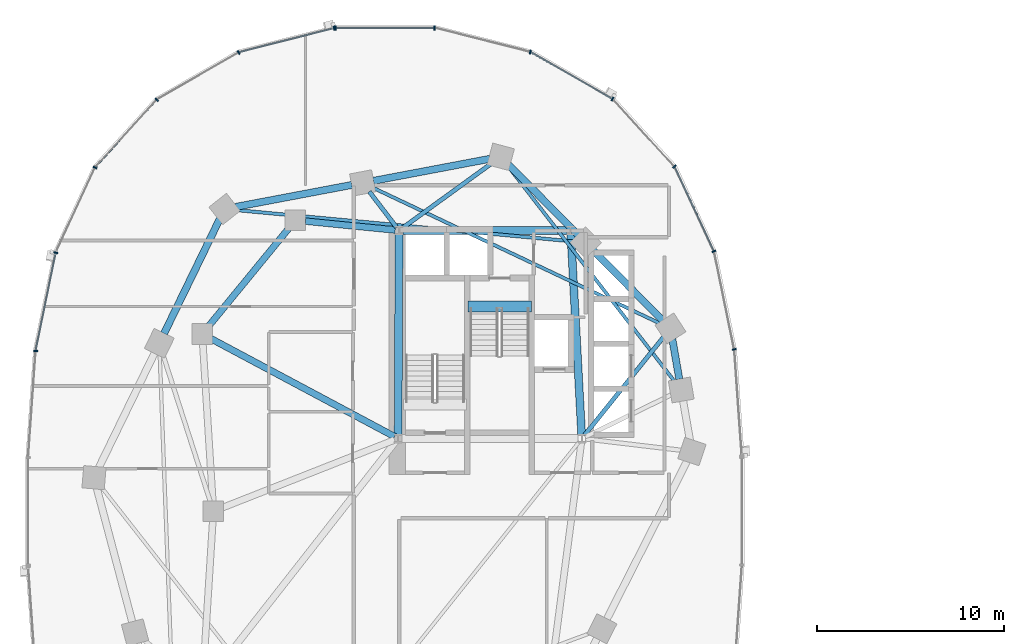
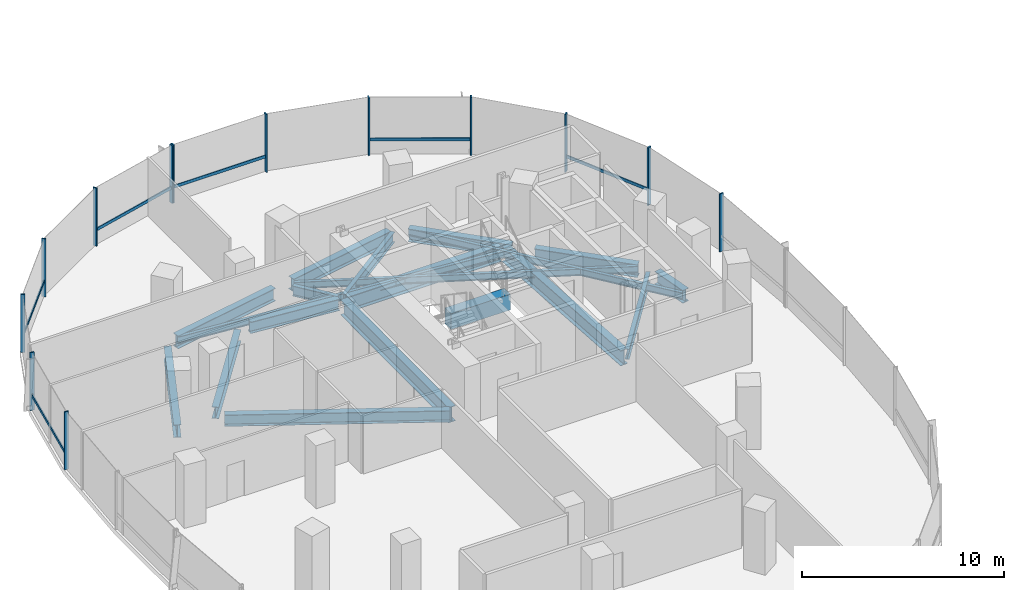
# One storey, part 4 of 21: 19 beams, 19 members, 2 elements without a shape of their own.
"""IFC4 building model written with IfcOpenShell, lengths in metres."""

from ifc_helpers import new_model, si_unit, direction, frame, origin, origin_2d, place, context, subcontext, project, spatial, rectangle, i_section, extrude, material, material_profile, profile_set, type_object, element, aggregate, save


model = new_model("IFC4")

# Units and contexts
model_context = context("Model", 3, precision=1e-05, world=origin(), true_north=direction((0.0, 1.0)))
body_context = subcontext(model_context, "Body", "Model", "MODEL_VIEW")
ifc_project = project(units=[si_unit("LENGTHUNIT", "METRE"), si_unit("AREAUNIT", "SQUARE_METRE"), si_unit("VOLUMEUNIT", "CUBIC_METRE"), si_unit("PLANEANGLEUNIT", "RADIAN"), si_unit("MASSUNIT", "GRAM", prefix="KILO"), si_unit("THERMODYNAMICTEMPERATUREUNIT", "KELVIN"), si_unit("POWERUNIT", "WATT")], contexts=[model_context])

# Site, building, storey
site_placement = place(None, origin())
site = spatial("IfcSite", under=ifc_project, at=site_placement, CompositionType="ELEMENT")
building_placement = place(site_placement, origin())
building = spatial("IfcBuilding", under=site, at=building_placement, Name="Cundina Bronze Exchange", CompositionType="ELEMENT")
storey_placement = place(building_placement, frame((0.0, 0.0, 31.60009765625)))
storey = spatial("IfcBuildingStorey", under=building, at=storey_placement, Name="L07", CompositionType="ELEMENT", Elevation=31.60009765625)

# Beams
ifc_material_1 = material(Name="Concrete C60/75", Category="concrete")
ifc_material_profile_1 = material_profile(ifc_material_1, rectangle(XDim=0.60009765625, YDim=0.949951171875, at=origin_2d()), Name="RC600X950", Category="concrete")
ifc_profile_set_1 = profile_set([ifc_material_profile_1], Name="Concrete C60/75")
beam_type_1 = type_object("IfcBeamType", Name="BM-COUP-RC950", PredefinedType="LINTEL", material=ifc_profile_set_1)
beam_1_placement = place(storey_placement, frame((-27.56005859375, 10.97998046875, -0.47509765625), z_axis=(1.0, 0.0, 0.0), x_axis=(0.0, 1.0, 0.0)))
element("IfcBeam", 1, at=beam_1_placement, inside=storey, type_object=beam_type_1, Name="L07 Stair W2 Landing Header Beam", PredefinedType="LINTEL", context=body_context, shape_type="SweptSolid", body=[
    extrude(rectangle(XDim=0.60009765625, YDim=0.949951171875, at=origin_2d()), origin(), (0.0, 0.0, 1.0), 3.400146484375),
])
ifc_material_2 = material(Name="Steel ASTM A992 Grade 50", Category="steel")
ifc_material_profile_2 = material_profile(ifc_material_2, i_section(OverallWidth=0.22998046875, OverallDepth=0.616943359375, WebThickness=0.01318359375, FlangeThickness=0.022216796875, FilletRadius=0.013916015625, at=origin_2d()), Name="W24X94", Category="steel")
ifc_profile_set_2 = profile_set([ifc_material_profile_2], Name="Steel ASTM A992 Grade 50")
beam_type_2 = type_object("IfcBeamType", Name="BM-FLR-W24B", PredefinedType="BEAM", material=ifc_profile_set_2)
beam_2_placement = place(storey_placement, frame((-21.322021484375, 4.058837890625, -0.608642578125), z_axis=(0.627106366175, 0.778933633568, 0.0), x_axis=(-0.778933633568, 0.627106366175, 0.0)))
element("IfcBeam", 2, at=beam_2_placement, inside=storey, type_object=beam_type_2, Name="L07 Leg W Radial Floor Beam 02", PredefinedType="BEAM", context=body_context, shape_type="SweptSolid", body=[
    extrude(i_section(OverallWidth=0.22998046875, OverallDepth=0.616943359375, WebThickness=0.01318359375, FlangeThickness=0.022216796875, FilletRadius=0.013916015625, at=origin_2d()), origin(), (0.0, 0.0, 1.0), 6.78271484375),
])
beam_3_placement = place(storey_placement, frame((-31.084716796875, 15.169677734375, -0.608642578125), z_axis=(0.809700299677, 0.586843611794, 0.0), x_axis=(-0.586843611794, 0.809700299677, 0.0)))
element("IfcBeam", 3, at=beam_3_placement, inside=storey, type_object=beam_type_2, Name="L07 Leg W Radial Floor Beam 04", PredefinedType="BEAM", context=body_context, shape_type="SweptSolid", body=[
    extrude(i_section(OverallWidth=0.22998046875, OverallDepth=0.616943359375, WebThickness=0.01318359375, FlangeThickness=0.022216796875, FilletRadius=0.013916015625, at=origin_2d()), origin(), (0.0, 0.0, 1.0), 5.938720703125),
])
beam_4_placement = place(storey_placement, frame((-31.373779296875, 15.2119140625, -0.608642578125), z_axis=(-0.607468844289, 0.794343504548, 0.0), x_axis=(-0.794343504548, -0.607468844289, 0.0)))
element("IfcBeam", 4, at=beam_4_placement, inside=storey, type_object=beam_type_2, Name="L07 Leg W Radial Floor Beam 05", PredefinedType="BEAM", context=body_context, shape_type="SweptSolid", body=[
    extrude(i_section(OverallWidth=0.22998046875, OverallDepth=0.616943359375, WebThickness=0.01318359375, FlangeThickness=0.022216796875, FilletRadius=0.013916015625, at=origin_2d()), origin(), (0.0, 0.0, 1.0), 2.418212890625),
])
ifc_material_profile_3 = material_profile(ifc_material_2, i_section(OverallWidth=0.178955078125, OverallDepth=0.409912109375, WebThickness=0.0087890625, FlangeThickness=0.014404296875, FilletRadius=0.010986328125, at=origin_2d()), Name="W16X45", Category="steel")
ifc_profile_set_3 = profile_set([ifc_material_profile_3], Name="Steel ASTM A992 Grade 50")
beam_type_3 = type_object("IfcBeamType", Name="BM-JST-W16", PredefinedType="JOIST", material=ifc_profile_set_3)
beam_5_placement = place(storey_placement, frame((-16.48486328125, 6.965087890625, -0.505126953125), z_axis=(-0.612089386305, 0.790788583108, 0.0), x_axis=(-0.790788583108, -0.612089386305, 0.0)))
element("IfcBeam", 5, at=beam_5_placement, inside=storey, type_object=beam_type_3, Name="L07 Leg W Lobe Floor Joist 01-04", PredefinedType="JOIST", context=body_context, shape_type="SweptSolid", body=[
    extrude(i_section(OverallWidth=0.178955078125, OverallDepth=0.409912109375, WebThickness=0.0087890625, FlangeThickness=0.014404296875, FilletRadius=0.010986328125, at=origin_2d()), origin(), (0.0, 0.0, 1.0), 14.630859375),
])
beam_6_placement = place(storey_placement, frame((-17.231689453125, 10.05126953125, -0.505126953125), z_axis=(-0.904072668297, 0.427378766949, 0.0), x_axis=(-0.427378766949, -0.904072668297, 0.0)))
element("IfcBeam", 6, at=beam_6_placement, inside=storey, type_object=beam_type_3, Name="L07 Leg W Lobe Floor Joist 02-05", PredefinedType="JOIST", context=body_context, shape_type="SweptSolid", body=[
    extrude(i_section(OverallWidth=0.178955078125, OverallDepth=0.409912109375, WebThickness=0.0087890625, FlangeThickness=0.014404296875, FilletRadius=0.010986328125, at=origin_2d()), origin(), (0.0, 0.0, 1.0), 17.07470703125),
])
beam_7_placement = place(storey_placement, frame((-21.83544921875, 14.45458984375, -0.505126953125), z_axis=(-0.995701961644, 0.09261535282, 0.0), x_axis=(-0.09261535282, -0.995701961644, 0.0)))
element("IfcBeam", 7, at=beam_7_placement, inside=storey, type_object=beam_type_3, Name="L07 Leg W Lobe Floor Joist 03-06", PredefinedType="JOIST", context=body_context, shape_type="SweptSolid", body=[
    extrude(i_section(OverallWidth=0.178955078125, OverallDepth=0.409912109375, WebThickness=0.0087890625, FlangeThickness=0.014404296875, FilletRadius=0.010986328125, at=origin_2d()), origin(), (0.0, 0.0, 1.0), 18.25732421875),
])
ifc_material_profile_4 = material_profile(ifc_material_2, i_section(OverallWidth=0.35498046875, OverallDepth=0.695068359375, WebThickness=0.015380859375, FlangeThickness=0.02490234375, FilletRadius=0.01806640625, at=origin_2d()), Name="W27X146", Category="steel")
ifc_profile_set_4 = profile_set([ifc_material_profile_4], Name="Steel ASTM A992 Grade 50")
beam_type_4 = type_object("IfcBeamType", Name="BM-RING-W27", PredefinedType="USERDEFINED", material=ifc_profile_set_4)
beam_8_placement = place(storey_placement, frame((-31.452880859375, 15.070068359375, -0.647705078125), z_axis=(-0.995126271817, 0.098608839051, 0.0), x_axis=(-0.098608839051, -0.995126271817, 0.0)))
element("IfcBeam", 8, at=beam_8_placement, inside=storey, type_object=beam_type_4, Name="L07 W Inner Structural Ring Girder 01", ObjectType="GIRDER", PredefinedType="USERDEFINED", context=body_context, shape_type="SweptSolid", body=[
    extrude(i_section(OverallWidth=0.35498046875, OverallDepth=0.695068359375, WebThickness=0.015380859375, FlangeThickness=0.02490234375, FilletRadius=0.01806640625, at=origin_2d()), origin(), (0.0, 0.0, 1.0), 4.83544921875),
])
beam_9_placement = place(storey_placement, frame((-37.14111328125, 15.183837890625, -0.647705078125), z_axis=(-0.633926549035, -0.773393257295, 0.0), x_axis=(0.773393257295, -0.633926549035, 0.0)))
element("IfcBeam", 9, at=beam_9_placement, inside=storey, type_object=beam_type_4, Name="L07 W Inner Structural Ring Girder 02", ObjectType="GIRDER", PredefinedType="USERDEFINED", context=body_context, shape_type="SweptSolid", body=[
    extrude(i_section(OverallWidth=0.35498046875, OverallDepth=0.695068359375, WebThickness=0.015380859375, FlangeThickness=0.02490234375, FilletRadius=0.01806640625, at=origin_2d()), origin(), (0.0, 0.0, 1.0), 6.811279296875),
])
beam_10_placement = place(storey_placement, frame((-31.47998046875, 3.99609375, -0.647705078125), z_axis=(-0.882354758239, 0.470584828286, 0.0), x_axis=(-0.470584828286, -0.882354758239, 0.0)))
element("IfcBeam", 10, at=beam_10_placement, inside=storey, type_object=beam_type_4, Name="L07 W Core-to-Waist Tie Beam 2", ObjectType="GIRDER", PredefinedType="USERDEFINED", context=body_context, shape_type="SweptSolid", body=[
    extrude(i_section(OverallWidth=0.35498046875, OverallDepth=0.695068359375, WebThickness=0.015380859375, FlangeThickness=0.02490234375, FilletRadius=0.01806640625, at=origin_2d()), origin(), (0.0, 0.0, 1.0), 11.157958984375),
])
ifc_material_profile_5 = material_profile(ifc_material_2, i_section(OverallWidth=0.381103515625, OverallDepth=0.77294921875, WebThickness=0.0166015625, FlangeThickness=0.027099609375, FilletRadius=0.01904296875, at=origin_2d()), Name="W30X173", Category="steel")
ifc_profile_set_5 = profile_set([ifc_material_profile_5], Name="Steel ASTM A992 Grade 50")
beam_type_5 = type_object("IfcBeamType", Name="BM-RING-W30", PredefinedType="USERDEFINED", material=ifc_profile_set_5)
beam_11_placement = place(storey_placement, frame((-16.225830078125, 7.079345703125, -0.6865234375), z_axis=(-0.171734584051, 0.985143254883, 0.0), x_axis=(-0.985143254883, -0.171734584051, 0.0)))
element("IfcBeam", 11, at=beam_11_placement, inside=storey, type_object=beam_type_5, Name="L07 W Perimeter Ring Girder 01", ObjectType="GIRDER", PredefinedType="USERDEFINED", context=body_context, shape_type="SweptSolid", body=[
    extrude(i_section(OverallWidth=0.381103515625, OverallDepth=0.77294921875, WebThickness=0.0166015625, FlangeThickness=0.027099609375, FilletRadius=0.01904296875, at=origin_2d()), origin(), (0.0, 0.0, 1.0), 2.173583984375),
])
for number, where, z_axis, x_axis, name in (
    (12, (-17.113525390625, 10.218017578125, -0.6865234375), (-0.703222428859, 0.710969911845, 0.0), (-0.710969911845, -0.703222428859, 0.0), "L07 W Perimeter Ring Girder 02"),
    (13, (-21.66357421875, 14.818115234375, -0.6865234375), (-0.703222428859, 0.710969911845, 0.0), (-0.710969911845, -0.703222428859, 0.0), "L07 W Perimeter Ring Girder 03"),
):
    element("IfcBeam", number, at=place(storey_placement, frame(where, z_axis=z_axis, x_axis=x_axis)), inside=storey, type_object=beam_type_5, Name=name, ObjectType="GIRDER", PredefinedType="USERDEFINED", context=body_context, shape_type="SweptSolid", body=[
        extrude(i_section(OverallWidth=0.381103515625, OverallDepth=0.77294921875, WebThickness=0.0166015625, FlangeThickness=0.027099609375, FilletRadius=0.01904296875, at=origin_2d()), origin(), (0.0, 0.0, 1.0), 5.2939453125),
    ])
beam_12_placement = place(storey_placement, frame((-26.377685546875, 18.890625, -0.6865234375), z_axis=(-0.982570814598, -0.185888661031, 0.0), x_axis=(0.185888661031, -0.982570814598, 0.0)))
element("IfcBeam", 14, at=beam_12_placement, inside=storey, type_object=beam_type_5, Name="L07 W Perimeter Ring Girder 04", ObjectType="GIRDER", PredefinedType="USERDEFINED", context=body_context, shape_type="SweptSolid", body=[
    extrude(i_section(OverallWidth=0.381103515625, OverallDepth=0.77294921875, WebThickness=0.0166015625, FlangeThickness=0.027099609375, FilletRadius=0.01904296875, at=origin_2d()), origin(), (0.0, 0.0, 1.0), 6.35546875),
])
beam_13_placement = place(storey_placement, frame((-33.77783203125, 17.49072265625, -0.6865234375), z_axis=(-0.982569487119, -0.185895677686, 0.0), x_axis=(0.185895677686, -0.982569487119, 0.0)))
element("IfcBeam", 15, at=beam_13_placement, inside=storey, type_object=beam_type_5, Name="L07 W Perimeter Ring Girder 05", ObjectType="GIRDER", PredefinedType="USERDEFINED", context=body_context, shape_type="SweptSolid", body=[
    extrude(i_section(OverallWidth=0.381103515625, OverallDepth=0.77294921875, WebThickness=0.0166015625, FlangeThickness=0.027099609375, FilletRadius=0.01904296875, at=origin_2d()), origin(), (0.0, 0.0, 1.0), 6.355224609375),
])
beam_14_placement = place(storey_placement, frame((-40.857177734375, 15.671142578125, -0.6865234375), z_axis=(-0.437190698904, -0.899368830231, 0.0), x_axis=(0.899368830231, -0.437190698904, 0.0)))
element("IfcBeam", 16, at=beam_14_placement, inside=storey, type_object=beam_type_5, Name="L07 W Perimeter Ring Girder 06", ObjectType="GIRDER", PredefinedType="USERDEFINED", context=body_context, shape_type="SweptSolid", body=[
    extrude(i_section(OverallWidth=0.381103515625, OverallDepth=0.77294921875, WebThickness=0.0166015625, FlangeThickness=0.027099609375, FilletRadius=0.01904296875, at=origin_2d()), origin(), (0.0, 0.0, 1.0), 6.82958984375),
])
ifc_material_profile_6 = material_profile(ifc_material_2, i_section(OverallWidth=0.41796875, OverallDepth=0.927001953125, WebThickness=0.019287109375, FlangeThickness=0.031982421875, FilletRadius=0.02392578125, at=origin_2d()), Name="W36X231", Category="steel")
ifc_profile_set_6 = profile_set([ifc_material_profile_6], Name="Steel ASTM A992 Grade 50")
beam_type_6 = type_object("IfcBeamType", Name="BM-WRN-W36B", PredefinedType="USERDEFINED", material=ifc_profile_set_6)
beam_15_placement = place(storey_placement, frame((-21.4609375, 4.103759765625, -0.763671875), z_axis=(-0.053739193498, 0.998555005537, 0.0), x_axis=(-0.998555005537, -0.053739193498, 0.0)))
element("IfcBeam", 17, at=beam_15_placement, inside=storey, type_object=beam_type_6, Name="L07 W Core Perimeter Tie Girder 2", ObjectType="GIRDER", PredefinedType="USERDEFINED", context=body_context, shape_type="SweptSolid", body=[
    extrude(i_section(OverallWidth=0.41796875, OverallDepth=0.927001953125, WebThickness=0.019287109375, FlangeThickness=0.031982421875, FilletRadius=0.02392578125, at=origin_2d()), origin(), (0.0, 0.0, 1.0), 10.758056640625),
])
beam_16_placement = place(storey_placement, frame((-22.25390625, 15.050048828125, -0.763671875), z_axis=(-1.0, 0.0, 0.0), x_axis=(0.0, -1.0, 0.0)))
element("IfcBeam", 18, at=beam_16_placement, inside=storey, type_object=beam_type_6, Name="L07 W Core Perimeter Tie Girder 3", ObjectType="GIRDER", PredefinedType="USERDEFINED", context=body_context, shape_type="SweptSolid", body=[
    extrude(i_section(OverallWidth=0.41796875, OverallDepth=0.927001953125, WebThickness=0.019287109375, FlangeThickness=0.031982421875, FilletRadius=0.02392578125, at=origin_2d()), origin(), (0.0, 0.0, 1.0), 8.7919921875),
])
beam_17_placement = place(storey_placement, frame((-31.2509765625, 14.845947265625, -0.763671875), z_axis=(-0.004477329608, -0.99998997671, 0.0), x_axis=(0.99998997671, -0.004477329608, 0.0)))
element("IfcBeam", 19, at=beam_17_placement, inside=storey, type_object=beam_type_6, Name="L07 W Core Perimeter Tie Girder 4", ObjectType="GIRDER", PredefinedType="USERDEFINED", context=body_context, shape_type="SweptSolid", body=[
    extrude(i_section(OverallWidth=0.41796875, OverallDepth=0.927001953125, WebThickness=0.019287109375, FlangeThickness=0.031982421875, FilletRadius=0.02392578125, at=origin_2d()), origin(), (0.0, 0.0, 1.0), 10.741943359375),
])

# Curtain wall, members
ifc_material_3 = material(Name="Anodised Bronze Aluminium 6063-T6", Category="aluminium")
curtain_wall_type = type_object("IfcCurtainWallType", Name="CWS-TRD-LOW", PredefinedType="NOTDEFINED", material=ifc_material_3)
curtain_wall_1_placement = place(storey_placement, origin())
curtain_wall_1 = element("IfcCurtainWall", 20, at=curtain_wall_1_placement, inside=storey, type_object=curtain_wall_type, Name="L07 CW-02 Curtain Wall Run CWR-L07-W1", PredefinedType="NOTDEFINED")
ifc_material_profile_7 = material_profile(ifc_material_3, rectangle(XDim=0.074951171875, YDim=0.219970703125, at=origin_2d()), Name="AL75X220", Category="aluminium")
ifc_profile_set_7 = profile_set([ifc_material_profile_7], Name="Anodised Bronze Aluminium 6063-T6")
member_type_1 = type_object("IfcMemberType", Name="CWM-MUL-220", PredefinedType="MULLION", material=ifc_profile_set_7)
member_1_placement = place(storey_placement, frame((-13.282958984375, 8.67822265625, 0.0), z_axis=(0.0, 0.0, 1.0), x_axis=(-0.201419845156, 0.979505000486, 0.0)))
member_1 = element("IfcMember", 21, at=member_1_placement, type_object=member_type_1, Name="CW-02 Mullion 2", PredefinedType="MULLION", context=body_context, shape_type="SweptSolid", body=[
    extrude(rectangle(XDim=0.074951171875, YDim=0.219970703125, at=origin_2d()), origin(), (0.0, 0.0, 1.0), 3.5),
])
member_2_placement = place(storey_placement, frame((-14.3720703125, 13.931884765625, 0.0), z_axis=(0.0, 0.0, 1.0), x_axis=(-0.42087749791, 0.907117485088, 0.0)))
member_2 = element("IfcMember", 22, at=member_2_placement, type_object=member_type_1, Name="CW-02 Mullion 3", PredefinedType="MULLION", context=body_context, shape_type="SweptSolid", body=[
    extrude(rectangle(XDim=0.074951171875, YDim=0.219970703125, at=origin_2d()), origin(), (0.0, 0.0, 1.0), 3.5),
])
member_3_placement = place(storey_placement, frame((-16.491455078125, 18.47705078125, 0.0), z_axis=(0.0, 0.0, 1.0), x_axis=(-0.674302387584, 0.738455340626, 0.0)))
member_3 = element("IfcMember", 23, at=member_3_placement, type_object=member_type_1, Name="CW-02 Mullion 4", PredefinedType="MULLION", context=body_context, shape_type="SweptSolid", body=[
    extrude(rectangle(XDim=0.074951171875, YDim=0.219970703125, at=origin_2d()), origin(), (0.0, 0.0, 1.0), 3.5),
])
member_4_placement = place(storey_placement, frame((-19.810302734375, 22.097412109375, 0.0), z_axis=(0.0, 0.0, 1.0), x_axis=(-0.867070701164, 0.498185105339, 0.0)))
member_4 = element("IfcMember", 24, at=member_4_placement, type_object=member_type_1, Name="CW-02 Mullion 5", PredefinedType="MULLION", context=body_context, shape_type="SweptSolid", body=[
    extrude(rectangle(XDim=0.074951171875, YDim=0.219970703125, at=origin_2d()), origin(), (0.0, 0.0, 1.0), 3.5),
])
member_5_placement = place(storey_placement, frame((-24.21484375, 24.61669921875, 0.0), z_axis=(0.0, 0.0, 1.0), x_axis=(-0.969488149345, 0.245138182011, 0.0)))
member_5 = element("IfcMember", 25, at=member_5_placement, type_object=member_type_1, Name="CW-02 Mullion 6", PredefinedType="MULLION", context=body_context, shape_type="SweptSolid", body=[
    extrude(rectangle(XDim=0.074951171875, YDim=0.219970703125, at=origin_2d()), origin(), (0.0, 0.0, 1.0), 3.5),
])
member_6_placement = place(storey_placement, frame((-29.345458984375, 25.905029296875, 0.0), z_axis=(0.0, 0.0, 1.0), x_axis=(-1.0, 0.0, 0.0)))
member_6 = element("IfcMember", 26, at=member_6_placement, type_object=member_type_1, Name="CW-02 Mullion 7", PredefinedType="MULLION", context=body_context, shape_type="SweptSolid", body=[
    extrude(rectangle(XDim=0.074951171875, YDim=0.219970703125, at=origin_2d()), origin(), (0.0, 0.0, 1.0), 3.5),
])
member_7_placement = place(storey_placement, frame((-34.654541015625, 25.905029296875, 0.0), z_axis=(0.0, 0.0, 1.0), x_axis=(-1.0, 0.0, 0.0)))
member_7 = element("IfcMember", 27, at=member_7_placement, type_object=member_type_1, Name="CW-02 End Mullion", PredefinedType="MULLION", context=body_context, shape_type="SweptSolid", body=[
    extrude(rectangle(XDim=0.074951171875, YDim=0.219970703125, at=origin_2d()), origin(), (0.0, 0.0, 1.0), 3.5),
])

curtain_wall_2_placement = place(storey_placement, origin())
curtain_wall_2 = element("IfcCurtainWall", 28, at=curtain_wall_2_placement, inside=storey, type_object=curtain_wall_type, Name="L07 CW-02 Curtain Wall Run CWR-L07-W2", PredefinedType="NOTDEFINED")
member_8_placement = place(storey_placement, frame((-34.72607421875, 25.89599609375, 0.0), z_axis=(0.0, 0.0, 1.0), x_axis=(-0.969488149345, -0.245138182011, 0.0)))
member_8 = element("IfcMember", 29, at=member_8_placement, type_object=member_type_1, Name="CW-02 Mullion 1", PredefinedType="MULLION", context=body_context, shape_type="SweptSolid", body=[
    extrude(rectangle(XDim=0.074951171875, YDim=0.219970703125, at=origin_2d()), origin(), (0.0, 0.0, 1.0), 3.5),
])
member_9_placement = place(storey_placement, frame((-39.848876953125, 24.591064453125, 0.0), z_axis=(0.0, 0.0, 1.0), x_axis=(-0.867070701164, -0.498185105339, 0.0)))
member_9 = element("IfcMember", 30, at=member_9_placement, type_object=member_type_1, Name="CW-02 Mullion 2", PredefinedType="MULLION", context=body_context, shape_type="SweptSolid", body=[
    extrude(rectangle(XDim=0.074951171875, YDim=0.219970703125, at=origin_2d()), origin(), (0.0, 0.0, 1.0), 3.5),
])
member_10_placement = place(storey_placement, frame((-44.239501953125, 22.0576171875, 0.0), z_axis=(0.0, 0.0, 1.0), x_axis=(-0.674302387584, -0.738455340626, 0.0)))
member_10 = element("IfcMember", 31, at=member_10_placement, type_object=member_type_1, Name="CW-02 Mullion 3", PredefinedType="MULLION", context=body_context, shape_type="SweptSolid", body=[
    extrude(rectangle(XDim=0.074951171875, YDim=0.219970703125, at=origin_2d()), origin(), (0.0, 0.0, 1.0), 3.5),
])
member_11_placement = place(storey_placement, frame((-47.544189453125, 18.423583984375, 0.0), z_axis=(0.0, 0.0, 1.0), x_axis=(-0.42087749791, -0.907117485088, 0.0)))
member_11 = element("IfcMember", 32, at=member_11_placement, type_object=member_type_1, Name="CW-02 Mullion 4", PredefinedType="MULLION", context=body_context, shape_type="SweptSolid", body=[
    extrude(rectangle(XDim=0.074951171875, YDim=0.219970703125, at=origin_2d()), origin(), (0.0, 0.0, 1.0), 3.5),
])
member_12_placement = place(storey_placement, frame((-49.651123046875, 13.861328125, 0.0), z_axis=(0.0, 0.0, 1.0), x_axis=(-0.201419845156, -0.979505000486, 0.0)))
member_12 = element("IfcMember", 33, at=member_12_placement, type_object=member_type_1, Name="CW-02 Mullion 5", PredefinedType="MULLION", context=body_context, shape_type="SweptSolid", body=[
    extrude(rectangle(XDim=0.074951171875, YDim=0.219970703125, at=origin_2d()), origin(), (0.0, 0.0, 1.0), 3.5),
])
member_13_placement = place(storey_placement, frame((-50.72900390625, 8.591552734375, 0.0), z_axis=(0.0, 0.0, 1.0), x_axis=(-0.070278787473, -0.997527389113, 0.0)))
member_13 = element("IfcMember", 34, at=member_13_placement, type_object=member_type_1, Name="CW-02 Mullion 6", PredefinedType="MULLION", context=body_context, shape_type="SweptSolid", body=[
    extrude(rectangle(XDim=0.074951171875, YDim=0.219970703125, at=origin_2d()), origin(), (0.0, 0.0, 1.0), 3.5),
])

# Member
ifc_material_profile_8 = material_profile(ifc_material_3, rectangle(XDim=0.070068359375, YDim=0.179931640625, at=origin_2d()), Name="AL70X180", Category="aluminium")
ifc_profile_set_8 = profile_set([ifc_material_profile_8], Name="Anodised Bronze Aluminium 6063-T6")
member_type_2 = type_object("IfcMemberType", Name="CWM-TRN-180", PredefinedType="USERDEFINED", material=ifc_profile_set_8)
member_14_placement = place(storey_placement, frame((-14.389404296875, 13.96923828125, 0.919921875), z_axis=(-0.420811422796, 0.907148139195, 0.0), x_axis=(-0.907148139195, -0.420811422796, 0.0)))
member_14 = element("IfcMember", 35, at=member_14_placement, type_object=member_type_2, Name="CW-02 Spandrel Transom 3", ObjectType="TRANSOM", PredefinedType="USERDEFINED", context=body_context, shape_type="SweptSolid", body=[
    extrude(rectangle(XDim=0.070068359375, YDim=0.179931640625, at=origin_2d()), origin(), (0.0, 0.0, 1.0), 4.95166015625),
])

member_15_placement = place(storey_placement, frame((-19.845947265625, 22.117919921875, 0.919921875), z_axis=(-0.867097475651, 0.498138502546, 0.0), x_axis=(-0.498138502546, -0.867097475651, 0.0)))
member_15 = element("IfcMember", 36, at=member_15_placement, type_object=member_type_2, Name="CW-02 Spandrel Transom 5", ObjectType="TRANSOM", PredefinedType="USERDEFINED", context=body_context, shape_type="SweptSolid", body=[
    extrude(rectangle(XDim=0.070068359375, YDim=0.179931640625, at=origin_2d()), origin(), (0.0, 0.0, 1.0), 5.00634765625),
])

member_16_placement = place(storey_placement, frame((-29.38671875, 25.905029296875, 0.919921875), z_axis=(-1.0, 0.0, 0.0), x_axis=(0.0, -1.0, 0.0)))
member_16 = element("IfcMember", 37, at=member_16_placement, type_object=member_type_2, Name="CW-02 Spandrel Transom 7", ObjectType="TRANSOM", PredefinedType="USERDEFINED", context=body_context, shape_type="SweptSolid", body=[
    extrude(rectangle(XDim=0.070068359375, YDim=0.179931640625, at=origin_2d()), origin(), (0.0, 0.0, 1.0), 5.2265625),
])

aggregate(curtain_wall_1, [member_1, member_2, member_14, member_3, member_4, member_15, member_5, member_6, member_7, member_16])

member_17_placement = place(storey_placement, frame((-34.76611328125, 25.885986328125, 0.919921875), z_axis=(-0.969483968866, -0.245154714644, 0.0), x_axis=(0.245154714644, -0.969483968866, 0.0)))
member_17 = element("IfcMember", 38, at=member_17_placement, type_object=member_type_2, Name="CW-02 Spandrel Transom 1", ObjectType="TRANSOM", PredefinedType="USERDEFINED", context=body_context, shape_type="SweptSolid", body=[
    extrude(rectangle(XDim=0.070068359375, YDim=0.179931640625, at=origin_2d()), origin(), (0.0, 0.0, 1.0), 5.21826171875),
])

member_18_placement = place(storey_placement, frame((-44.26708984375, 22.027099609375, 0.919921875), z_axis=(-0.674302794847, -0.738454968743, 0.0), x_axis=(0.738454968743, -0.674302794847, 0.0)))
member_18 = element("IfcMember", 39, at=member_18_placement, type_object=member_type_2, Name="CW-02 Spandrel Transom 3", ObjectType="TRANSOM", PredefinedType="USERDEFINED", context=body_context, shape_type="SweptSolid", body=[
    extrude(rectangle(XDim=0.070068359375, YDim=0.179931640625, at=origin_2d()), origin(), (0.0, 0.0, 1.0), 4.848388671875),
])

member_19_placement = place(storey_placement, frame((-49.659423828125, 13.821044921875, 0.919921875), z_axis=(-0.201427712708, -0.979503382615, 0.0), x_axis=(0.979503382615, -0.201427712708, 0.0)))
member_19 = element("IfcMember", 40, at=member_19_placement, type_object=member_type_2, Name="CW-02 Spandrel Transom 5", ObjectType="TRANSOM", PredefinedType="USERDEFINED", context=body_context, shape_type="SweptSolid", body=[
    extrude(rectangle(XDim=0.070068359375, YDim=0.179931640625, at=origin_2d()), origin(), (0.0, 0.0, 1.0), 5.291748046875),
])

aggregate(curtain_wall_2, [member_8, member_17, member_9, member_10, member_18, member_11, member_12, member_19, member_13])

save(model, "model.ifc")
